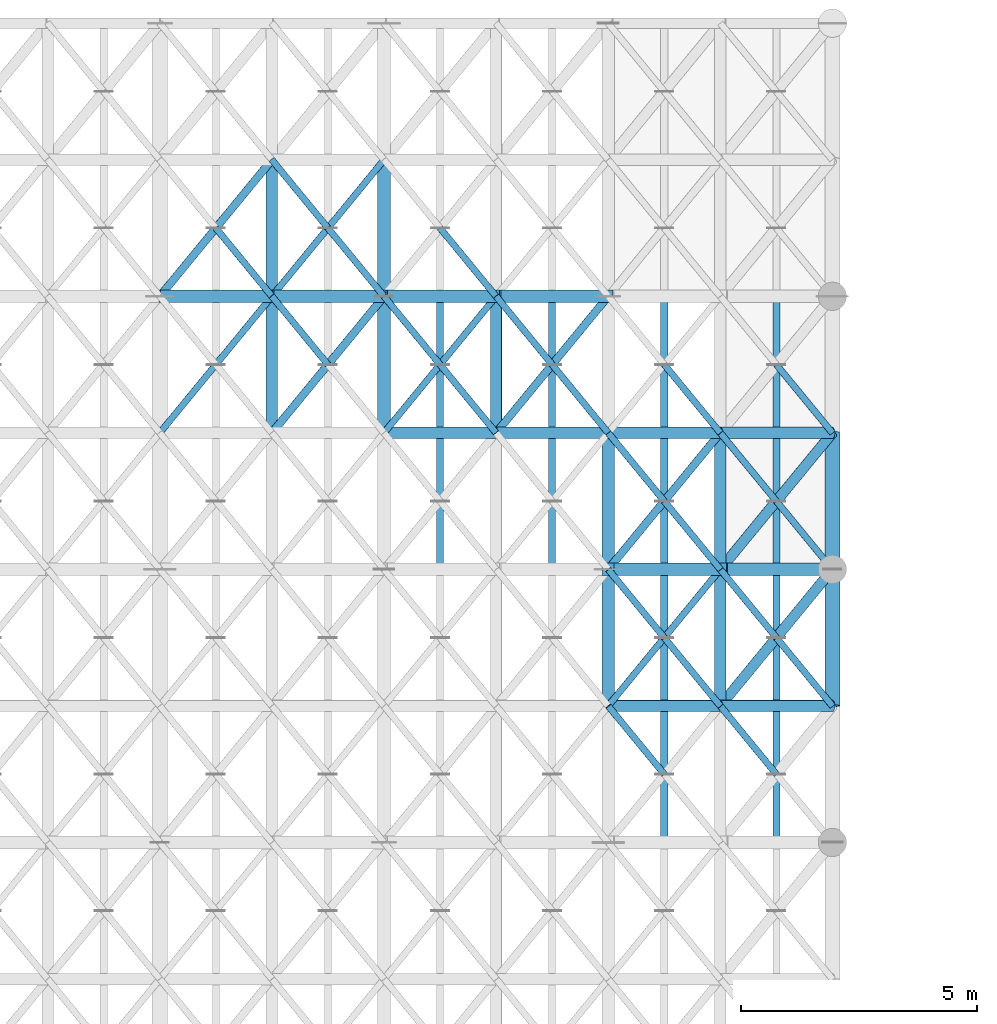
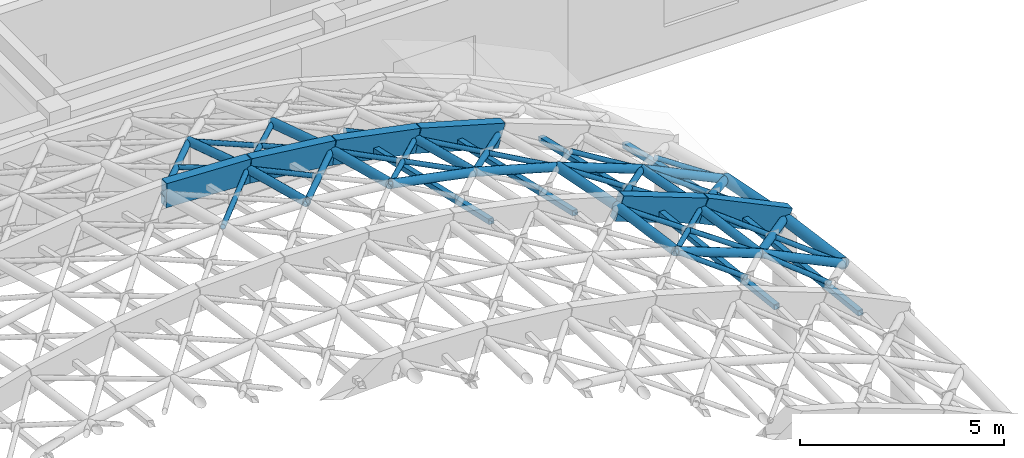
# One storey, part 72 of 146: 54 members, 6 beams.
"""IFC4 building model written with IfcOpenShell, lengths in metres."""

from ifc_helpers import new_model, si_unit, direction, frame, origin, origin_2d, place, context, subcontext, project, spatial, rectangle, hollow_rectangle, hollow_circle, extrude, material, material_profile, profile_set, type_object, element, save


model = new_model("IFC4")

# Units and contexts
model_context = context("Model", 3, precision=1e-05, world=origin(), true_north=direction((0.0, 1.0)))
body_context = subcontext(model_context, "Body", "Model", "MODEL_VIEW")
ifc_project = project(units=[si_unit("LENGTHUNIT", "METRE"), si_unit("AREAUNIT", "SQUARE_METRE"), si_unit("VOLUMEUNIT", "CUBIC_METRE"), si_unit("PLANEANGLEUNIT", "RADIAN"), si_unit("MASSUNIT", "GRAM", prefix="KILO")], contexts=[model_context])

# Site, building, storey
site_placement = place(None, origin())
site = spatial("IfcSite", under=ifc_project, at=site_placement, CompositionType="ELEMENT")
building_placement = place(site_placement, origin())
building = spatial("IfcBuilding", under=site, at=building_placement, Name="Valcora Specialist Clinic", CompositionType="ELEMENT")
storey_placement = place(building_placement, frame((0.0, 0.0, 9.52001953125)))
storey = spatial("IfcBuildingStorey", under=building, at=storey_placement, Name="L02", CompositionType="ELEMENT", Elevation=9.52001953125)

# Beams
ifc_material_1 = material(Name="Glulam Conifer Class 24F", Category="wood")
ifc_material_profile_1 = material_profile(ifc_material_1, rectangle(XDim=0.260009765625, YDim=0.719970703125, at=origin_2d()), Name="GL-ARC-260X720")
ifc_profile_set_1 = profile_set([ifc_material_profile_1], Name="Glulam Conifer Class 24F")
beam_type = type_object("IfcBeamType", Name="TY-AR-GL720", PredefinedType="JOIST", material=ifc_profile_set_1)
beam_1_placement = place(storey_placement, frame((24.5, 67.678955078125, 6.143798828125), z_axis=(0.935663448479, 0.0, -0.352893625871), x_axis=(0.0, 1.0, 0.0)))
element("IfcBeam", 1, at=beam_1_placement, inside=storey, type_object=beam_type, Name="Gridshell glulam arch chord BM-GSA-071", PredefinedType="JOIST", context=body_context, shape_type="SweptSolid", body=[
    extrude(rectangle(XDim=0.260009765625, YDim=0.719970703125, at=origin_2d()), origin(), (0.0, 0.0, 1.0), 2.538330078125),
])
beam_2_placement = place(storey_placement, frame((26.875, 67.678955078125, 5.248046875), z_axis=(0.902225234529, 0.0, -0.431265146028), x_axis=(0.0, 1.0, 0.0)))
element("IfcBeam", 2, at=beam_2_placement, inside=storey, type_object=beam_type, Name="Gridshell glulam arch chord BM-GSA-072", PredefinedType="JOIST", context=body_context, shape_type="SweptSolid", body=[
    extrude(rectangle(XDim=0.260009765625, YDim=0.719970703125, at=origin_2d()), origin(), (0.0, 0.0, 1.0), 2.63232421875),
])
beam_3_placement = place(storey_placement, frame((15.0, 73.464111328125, 6.347900390625), z_axis=(0.999229898969, 0.0, -0.039237851707), x_axis=(0.0, 1.0, 0.0)))
element("IfcBeam", 3, at=beam_3_placement, inside=storey, type_object=beam_type, Name="Gridshell glulam arch chord BM-GSA-079", PredefinedType="JOIST", context=body_context, shape_type="SweptSolid", body=[
    extrude(rectangle(XDim=0.260009765625, YDim=0.719970703125, at=origin_2d()), origin(), (0.0, 0.0, 1.0), 2.376708984375),
])
beam_4_placement = place(storey_placement, frame((17.375, 73.464111328125, 6.254638671875), z_axis=(0.993061123194, 0.0, -0.117599343536), x_axis=(0.0, 1.0, 0.0)))
element("IfcBeam", 4, at=beam_4_placement, inside=storey, type_object=beam_type, Name="Gridshell glulam arch chord BM-GSA-080", PredefinedType="JOIST", context=body_context, shape_type="SweptSolid", body=[
    extrude(rectangle(XDim=0.260009765625, YDim=0.719970703125, at=origin_2d()), origin(), (0.0, 0.0, 1.0), 2.3916015625),
])
beam_5_placement = place(storey_placement, frame((19.75, 73.464111328125, 5.973388671875), z_axis=(0.980611679738, 0.0, -0.195961051132), x_axis=(0.0, 1.0, 0.0)))
element("IfcBeam", 5, at=beam_5_placement, inside=storey, type_object=beam_type, Name="Gridshell glulam arch chord BM-GSA-081", PredefinedType="JOIST", context=body_context, shape_type="SweptSolid", body=[
    extrude(rectangle(XDim=0.260009765625, YDim=0.719970703125, at=origin_2d()), origin(), (0.0, 0.0, 1.0), 2.421875),
])
beam_6_placement = place(storey_placement, frame((22.125, 73.464111328125, 5.498779296875), z_axis=(0.961613421173, 0.0, -0.274407777259), x_axis=(0.0, 1.0, 0.0)))
element("IfcBeam", 6, at=beam_6_placement, inside=storey, type_object=beam_type, Name="Gridshell glulam arch chord BM-GSA-082", PredefinedType="JOIST", context=body_context, shape_type="SweptSolid", body=[
    extrude(rectangle(XDim=0.260009765625, YDim=0.719970703125, at=origin_2d()), origin(), (0.0, 0.0, 1.0), 2.4697265625),
])

# Members
ifc_material_2 = material(Name="Steel ASTM A500 Grade C", Category="steel")
ifc_material_profile_2 = material_profile(ifc_material_2, hollow_circle(Radius=0.1220703125, WallThickness=0.010009765625, at=origin_2d()), Name="ST-CHS-244X10")
ifc_profile_set_2 = profile_set([ifc_material_profile_2], Name="Steel ASTM A500 Grade C")
member_type_1 = type_object("IfcMemberType", Name="TY-MB-GSC244", PredefinedType="CHORD", material=ifc_profile_set_2)
member_1_placement = place(storey_placement, frame((17.375, 70.571044921875, 7.003173828125), z_axis=(0.0, 0.968120272933, -0.250485802263), x_axis=(-1.0, 0.0, 0.0)))
element("IfcMember", 7, at=member_1_placement, inside=storey, type_object=member_type_1, Name="Gridshell longitudinal chord MB-L02-0110", PredefinedType="CHORD", context=body_context, shape_type="SweptSolid", body=[
    extrude(hollow_circle(Radius=0.1220703125, WallThickness=0.010009765625, at=origin_2d()), origin(), (0.0, 0.0, 1.0), 2.98828125),
])
member_2_placement = place(storey_placement, frame((17.375, 73.464111328125, 6.254638671875), z_axis=(0.0, 0.95199595387, -0.30611060716), x_axis=(-1.0, 0.0, 0.0)))
element("IfcMember", 8, at=member_2_placement, inside=storey, type_object=member_type_1, Name="Gridshell longitudinal chord MB-L02-0111", PredefinedType="CHORD", context=body_context, shape_type="SweptSolid", body=[
    extrude(hollow_circle(Radius=0.1220703125, WallThickness=0.010009765625, at=origin_2d()), origin(), (0.0, 0.0, 1.0), 3.03857421875),
])
member_3_placement = place(storey_placement, frame((22.125, 70.571044921875, 6.2470703125), z_axis=(0.0, 0.968140082086, -0.250409227983), x_axis=(-1.0, 0.0, 0.0)))
element("IfcMember", 9, at=member_3_placement, inside=storey, type_object=member_type_1, Name="Gridshell longitudinal chord MB-L02-0138", PredefinedType="CHORD", context=body_context, shape_type="SweptSolid", body=[
    extrude(hollow_circle(Radius=0.1220703125, WallThickness=0.010009765625, at=origin_2d()), origin(), (0.0, 0.0, 1.0), 2.98828125),
])
member_4_placement = place(storey_placement, frame((26.875, 64.785888671875, 5.654541015625), z_axis=(0.0, 0.990272777431, -0.139139592778), x_axis=(-1.0, 0.0, 0.0)))
element("IfcMember", 10, at=member_4_placement, inside=storey, type_object=member_type_1, Name="Gridshell longitudinal chord MB-L02-0164", PredefinedType="CHORD", context=body_context, shape_type="SweptSolid", body=[
    extrude(hollow_circle(Radius=0.1220703125, WallThickness=0.010009765625, at=origin_2d()), origin(), (0.0, 0.0, 1.0), 2.92138671875),
])
member_5_placement = place(storey_placement, frame((26.875, 67.678955078125, 5.248046875), z_axis=(0.0, 0.980837778433, -0.194826210759), x_axis=(-1.0, 0.0, 0.0)))
element("IfcMember", 11, at=member_5_placement, inside=storey, type_object=member_type_1, Name="Gridshell longitudinal chord MB-L02-0165", PredefinedType="CHORD", context=body_context, shape_type="SweptSolid", body=[
    extrude(hollow_circle(Radius=0.1220703125, WallThickness=0.010009765625, at=origin_2d()), origin(), (0.0, 0.0, 1.0), 2.948486328125),
])
member_6_placement = place(storey_placement, frame((24.5, 64.785888671875, 6.550048828125), z_axis=(0.935695204238, 0.0, -0.352809417059), x_axis=(0.0, 1.0, 0.0)))
element("IfcMember", 12, at=member_6_placement, inside=storey, type_object=member_type_1, Name="Gridshell secondary transverse chord MB-L02-0325", PredefinedType="CHORD", context=body_context, shape_type="SweptSolid", body=[
    extrude(hollow_circle(Radius=0.1220703125, WallThickness=0.010009765625, at=origin_2d()), origin(), (0.0, 0.0, 1.0), 2.538330078125),
])
member_7_placement = place(storey_placement, frame((26.875, 64.785888671875, 5.654541015625), z_axis=(0.902225234529, 0.0, -0.431265146028), x_axis=(0.0, 1.0, 0.0)))
element("IfcMember", 13, at=member_7_placement, inside=storey, type_object=member_type_1, Name="Gridshell secondary transverse chord MB-L02-0326", PredefinedType="CHORD", context=body_context, shape_type="SweptSolid", body=[
    extrude(hollow_circle(Radius=0.1220703125, WallThickness=0.010009765625, at=origin_2d()), origin(), (0.0, 0.0, 1.0), 2.63232421875),
])
member_8_placement = place(storey_placement, frame((19.75, 70.571044921875, 6.7216796875), z_axis=(0.980611679738, 0.0, -0.195961051132), x_axis=(0.0, 1.0, 0.0)))
element("IfcMember", 14, at=member_8_placement, inside=storey, type_object=member_type_1, Name="Gridshell secondary transverse chord MB-L02-0335", PredefinedType="CHORD", context=body_context, shape_type="SweptSolid", body=[
    extrude(hollow_circle(Radius=0.1220703125, WallThickness=0.010009765625, at=origin_2d()), origin(), (0.0, 0.0, 1.0), 2.421875),
])
member_9_placement = place(storey_placement, frame((22.125, 70.571044921875, 6.2470703125), z_axis=(0.961613421173, 0.0, -0.274407777259), x_axis=(0.0, 1.0, 0.0)))
element("IfcMember", 15, at=member_9_placement, inside=storey, type_object=member_type_1, Name="Gridshell secondary transverse chord MB-L02-0336", PredefinedType="CHORD", context=body_context, shape_type="SweptSolid", body=[
    extrude(hollow_circle(Radius=0.1220703125, WallThickness=0.010009765625, at=origin_2d()), origin(), (0.0, 0.0, 1.0), 2.4697265625),
])
member_10_placement = place(storey_placement, frame((24.5, 70.571044921875, 5.5693359375), z_axis=(0.935663448479, 0.0, -0.352893625871), x_axis=(0.0, 1.0, 0.0)))
element("IfcMember", 16, at=member_10_placement, inside=storey, type_object=member_type_1, Name="Gridshell secondary transverse chord MB-L02-0337", PredefinedType="CHORD", context=body_context, shape_type="SweptSolid", body=[
    extrude(hollow_circle(Radius=0.1220703125, WallThickness=0.010009765625, at=origin_2d()), origin(), (0.0, 0.0, 1.0), 2.538330078125),
])
member_11_placement = place(storey_placement, frame((26.875, 70.571044921875, 4.673583984375), z_axis=(0.902225234529, 0.0, -0.431265146028), x_axis=(0.0, 1.0, 0.0)))
element("IfcMember", 17, at=member_11_placement, inside=storey, type_object=member_type_1, Name="Gridshell secondary transverse chord MB-L02-0338", PredefinedType="CHORD", context=body_context, shape_type="SweptSolid", body=[
    extrude(hollow_circle(Radius=0.1220703125, WallThickness=0.010009765625, at=origin_2d()), origin(), (0.0, 0.0, 1.0), 2.63232421875),
])
ifc_material_profile_3 = material_profile(ifc_material_2, hollow_circle(Radius=0.136474609375, WallThickness=0.011962890625, at=origin_2d()), Name="ST-CHS-273X12")
ifc_profile_set_3 = profile_set([ifc_material_profile_3], Name="Steel ASTM A500 Grade C")
member_type_2 = type_object("IfcMemberType", Name="TY-MB-GSC273", PredefinedType="CHORD", material=ifc_profile_set_3)
member_12_placement = place(storey_placement, frame((19.75, 70.571044921875, 6.7216796875), z_axis=(0.0, 0.968140082086, -0.250409227983), x_axis=(-1.0, 0.0, 0.0)))
element("IfcMember", 18, at=member_12_placement, inside=storey, type_object=member_type_2, Name="Gridshell longitudinal chord MB-L02-0124", PredefinedType="CHORD", context=body_context, shape_type="SweptSolid", body=[
    extrude(hollow_circle(Radius=0.136474609375, WallThickness=0.011962890625, at=origin_2d()), origin(), (0.0, 0.0, 1.0), 2.98828125),
])
member_13_placement = place(storey_placement, frame((19.75, 73.464111328125, 5.973388671875), z_axis=(0.0, 0.95199595387, -0.30611060716), x_axis=(-1.0, 0.0, 0.0)))
element("IfcMember", 19, at=member_13_placement, inside=storey, type_object=member_type_2, Name="Gridshell longitudinal chord MB-L02-0125", PredefinedType="CHORD", context=body_context, shape_type="SweptSolid", body=[
    extrude(hollow_circle(Radius=0.136474609375, WallThickness=0.011962890625, at=origin_2d()), origin(), (0.0, 0.0, 1.0), 3.03857421875),
])
member_14_placement = place(storey_placement, frame((24.5, 64.785888671875, 6.550048828125), z_axis=(0.0, 0.990284288594, -0.139057641875), x_axis=(-1.0, 0.0, 0.0)))
element("IfcMember", 20, at=member_14_placement, inside=storey, type_object=member_type_2, Name="Gridshell longitudinal chord MB-L02-0150", PredefinedType="CHORD", context=body_context, shape_type="SweptSolid", body=[
    extrude(hollow_circle(Radius=0.136474609375, WallThickness=0.011962890625, at=origin_2d()), origin(), (0.0, 0.0, 1.0), 2.92138671875),
])
member_15_placement = place(storey_placement, frame((24.5, 67.678955078125, 6.143798828125), z_axis=(0.0, 0.980837778433, -0.194826210759), x_axis=(-1.0, 0.0, 0.0)))
element("IfcMember", 21, at=member_15_placement, inside=storey, type_object=member_type_2, Name="Gridshell longitudinal chord MB-L02-0151", PredefinedType="CHORD", context=body_context, shape_type="SweptSolid", body=[
    extrude(hollow_circle(Radius=0.136474609375, WallThickness=0.011962890625, at=origin_2d()), origin(), (0.0, 0.0, 1.0), 2.948486328125),
])
ifc_material_profile_4 = material_profile(ifc_material_2, hollow_circle(Radius=0.162109375, WallThickness=0.011962890625, at=origin_2d()), Name="ST-CHS-324X12")
ifc_profile_set_4 = profile_set([ifc_material_profile_4], Name="Steel ASTM A500 Grade C")
member_type_3 = type_object("IfcMemberType", Name="TY-MB-GSC324", PredefinedType="CHORD", material=ifc_profile_set_4)
member_16_placement = place(storey_placement, frame((29.25, 64.785888671875, 4.519287109375), z_axis=(0.0, 0.990272777431, -0.139139592778), x_axis=(-1.0, 0.0, 0.0)))
element("IfcMember", 22, at=member_16_placement, inside=storey, type_object=member_type_3, Name="Gridshell longitudinal chord MB-L02-0178", PredefinedType="CHORD", context=body_context, shape_type="SweptSolid", body=[
    extrude(hollow_circle(Radius=0.162109375, WallThickness=0.011962890625, at=origin_2d()), origin(), (0.0, 0.0, 1.0), 2.92138671875),
])
member_17_placement = place(storey_placement, frame((29.25, 67.678955078125, 4.11279296875), z_axis=(0.0, 0.980837778433, -0.194826210759), x_axis=(-1.0, 0.0, 0.0)))
element("IfcMember", 23, at=member_17_placement, inside=storey, type_object=member_type_3, Name="Gridshell longitudinal chord MB-L02-0179", PredefinedType="CHORD", context=body_context, shape_type="SweptSolid", body=[
    extrude(hollow_circle(Radius=0.162109375, WallThickness=0.011962890625, at=origin_2d()), origin(), (0.0, 0.0, 1.0), 2.948486328125),
])
ifc_material_profile_5 = material_profile(ifc_material_2, hollow_circle(Radius=0.070068359375, WallThickness=0.006103515625, at=origin_2d()), Name="ST-CHS-140X6")
ifc_profile_set_5 = profile_set([ifc_material_profile_5], Name="Steel ASTM A500 Grade C")
member_type_4 = type_object("IfcMemberType", Name="TY-MB-GSD140", PredefinedType="BRACE", material=ifc_profile_set_5)
member_18_placement = place(storey_placement, frame((15.0, 70.571044921875, 7.09619140625), z_axis=(0.619055150261, 0.754091645826, -0.219354759761), x_axis=(-0.772915884105, 0.634508499626, 0.0)))
element("IfcMember", 24, at=member_18_placement, inside=storey, type_object=member_type_4, Name="Gridshell primary diagrid MB-L02-0541", PredefinedType="BRACE", context=body_context, shape_type="SweptSolid", body=[
    extrude(hollow_circle(Radius=0.070068359375, WallThickness=0.006103515625, at=origin_2d()), origin(), (0.0, 0.0, 1.0), 3.83642578125),
])
member_19_placement = place(storey_placement, frame((17.375, 73.464111328125, 6.254638671875), z_axis=(-0.619278413404, 0.754236291326, -0.218224342223), x_axis=(-0.772863356881, -0.634572479384, 0.0)))
element("IfcMember", 25, at=member_19_placement, inside=storey, type_object=member_type_4, Name="Gridshell split counter diagrid A MB-L02-0544", PredefinedType="BRACE", context=body_context, shape_type="SweptSolid", body=[
    extrude(hollow_circle(Radius=0.070068359375, WallThickness=0.006103515625, at=origin_2d()), origin(), (0.0, 0.0, 1.0), 1.91748046875),
])
member_20_placement = place(storey_placement, frame((17.375, 73.464111328125, 6.254638671875), z_axis=(0.603706513759, 0.735332903118, -0.307935004243), x_axis=(-0.772889622479, 0.634540488436, 0.0)))
element("IfcMember", 26, at=member_20_placement, inside=storey, type_object=member_type_4, Name="Gridshell primary diagrid MB-L02-0571", PredefinedType="BRACE", context=body_context, shape_type="SweptSolid", body=[
    extrude(hollow_circle(Radius=0.070068359375, WallThickness=0.006103515625, at=origin_2d()), origin(), (0.0, 0.0, 1.0), 3.93408203125),
])
member_21_placement = place(storey_placement, frame((19.75, 73.464111328125, 5.973388671875), z_axis=(-0.625243869313, 0.761501784911, -0.170836575312), x_axis=(-0.772863356881, -0.634572479384, 0.0)))
element("IfcMember", 27, at=member_21_placement, inside=storey, type_object=member_type_4, Name="Gridshell split counter diagrid A MB-L02-0572", PredefinedType="BRACE", context=body_context, shape_type="SweptSolid", body=[
    extrude(hollow_circle(Radius=0.070068359375, WallThickness=0.006103515625, at=origin_2d()), origin(), (0.0, 0.0, 1.0), 1.899169921875),
])
member_22_placement = place(storey_placement, frame((19.75, 70.571044921875, 6.7216796875), z_axis=(0.60313497592, 0.734698752534, -0.310557472696), x_axis=(-0.772915884105, 0.634508499626, 0.0)))
element("IfcMember", 28, at=member_22_placement, inside=storey, type_object=member_type_4, Name="Gridshell primary diagrid MB-L02-0597", PredefinedType="BRACE", context=body_context, shape_type="SweptSolid", body=[
    extrude(hollow_circle(Radius=0.070068359375, WallThickness=0.006103515625, at=origin_2d()), origin(), (0.0, 0.0, 1.0), 3.937744140625),
])
member_23_placement = place(storey_placement, frame((22.125, 70.571044921875, 6.2470703125), z_axis=(-0.632822190242, 0.770861734619, -0.072857817956), x_axis=(-0.772915884105, -0.634508499626, 0.0)))
element("IfcMember", 29, at=member_23_placement, inside=storey, type_object=member_type_4, Name="Gridshell split counter diagrid A MB-L02-0598", PredefinedType="BRACE", context=body_context, shape_type="SweptSolid", body=[
    extrude(hollow_circle(Radius=0.070068359375, WallThickness=0.006103515625, at=origin_2d()), origin(), (0.0, 0.0, 1.0), 1.87646484375),
])
member_24_placement = place(storey_placement, frame((22.125, 73.464111328125, 5.498779296875), z_axis=(-0.62992308528, 0.767200731332, -0.120830229968), x_axis=(-0.772863356881, -0.634572479384, 0.0)))
element("IfcMember", 30, at=member_24_placement, inside=storey, type_object=member_type_4, Name="Gridshell split counter diagrid A MB-L02-0600", PredefinedType="BRACE", context=body_context, shape_type="SweptSolid", body=[
    extrude(hollow_circle(Radius=0.070068359375, WallThickness=0.006103515625, at=origin_2d()), origin(), (0.0, 0.0, 1.0), 1.88525390625),
])
member_25_placement = place(storey_placement, frame((24.5, 70.571044921875, 5.5693359375), z_axis=(-0.634396580253, 0.772779551398, -0.018781477705), x_axis=(-0.772915884105, -0.634508499626, 0.0)))
element("IfcMember", 31, at=member_25_placement, inside=storey, type_object=member_type_4, Name="Gridshell split counter diagrid A MB-L02-0626", PredefinedType="BRACE", context=body_context, shape_type="SweptSolid", body=[
    extrude(hollow_circle(Radius=0.070068359375, WallThickness=0.006103515625, at=origin_2d()), origin(), (0.0, 0.0, 1.0), 1.871826171875),
])
member_26_placement = place(storey_placement, frame((24.5, 64.785888671875, 6.550048828125), z_axis=(0.599287772964, 0.730012346795, -0.328536358266), x_axis=(-0.772915884105, 0.634508499626, 0.0)))
element("IfcMember", 32, at=member_26_placement, inside=storey, type_object=member_type_4, Name="Gridshell primary diagrid MB-L02-0649", PredefinedType="BRACE", context=body_context, shape_type="SweptSolid", body=[
    extrude(hollow_circle(Radius=0.070068359375, WallThickness=0.006103515625, at=origin_2d()), origin(), (0.0, 0.0, 1.0), 3.963134765625),
])
member_27_placement = place(storey_placement, frame((26.875, 64.785888671875, 5.654541015625), z_axis=(-0.629156590735, 0.766396546074, 0.129608327285), x_axis=(-0.772915884105, -0.634508499626, 0.0)))
element("IfcMember", 33, at=member_27_placement, inside=storey, type_object=member_type_4, Name="Gridshell split counter diagrid A MB-L02-0650", PredefinedType="BRACE", context=body_context, shape_type="SweptSolid", body=[
    extrude(hollow_circle(Radius=0.070068359375, WallThickness=0.006103515625, at=origin_2d()), origin(), (0.0, 0.0, 1.0), 1.887451171875),
])
member_28_placement = place(storey_placement, frame((26.875, 67.678955078125, 5.248046875), z_axis=(-0.632310428758, 0.769978344888, 0.085538705206), x_axis=(-0.772810813765, -0.634636467694, 0.0)))
element("IfcMember", 34, at=member_28_placement, inside=storey, type_object=member_type_4, Name="Gridshell split counter diagrid A MB-L02-0652", PredefinedType="BRACE", context=body_context, shape_type="SweptSolid", body=[
    extrude(hollow_circle(Radius=0.070068359375, WallThickness=0.006103515625, at=origin_2d()), origin(), (0.0, 0.0, 1.0), 1.8779296875),
])
member_29_placement = place(storey_placement, frame((26.875, 70.571044921875, 4.673583984375), z_axis=(-0.634016682193, 0.77231678495, 0.039365344988), x_axis=(-0.772915884105, -0.634508499626, 0.0)))
element("IfcMember", 35, at=member_29_placement, inside=storey, type_object=member_type_4, Name="Gridshell split counter diagrid A MB-L02-0654", PredefinedType="BRACE", context=body_context, shape_type="SweptSolid", body=[
    extrude(hollow_circle(Radius=0.070068359375, WallThickness=0.006103515625, at=origin_2d()), origin(), (0.0, 0.0, 1.0), 1.873046875),
])
member_30_placement = place(storey_placement, frame((29.25, 64.785888671875, 4.519287109375), z_axis=(-0.622821492509, 0.75867955245, 0.191046395317), x_axis=(-0.772915884105, -0.634508499626, 0.0)))
element("IfcMember", 36, at=member_30_placement, inside=storey, type_object=member_type_4, Name="Gridshell split counter diagrid A MB-L02-0678", PredefinedType="BRACE", context=body_context, shape_type="SweptSolid", body=[
    extrude(hollow_circle(Radius=0.070068359375, WallThickness=0.006103515625, at=origin_2d()), origin(), (0.0, 0.0, 1.0), 1.90673828125),
])
member_31_placement = place(storey_placement, frame((29.25, 67.678955078125, 4.11279296875), z_axis=(-0.627634696439, 0.764284602592, 0.148134175887), x_axis=(-0.772810813765, -0.634636467694, 0.0)))
element("IfcMember", 37, at=member_31_placement, inside=storey, type_object=member_type_4, Name="Gridshell split counter diagrid A MB-L02-0680", PredefinedType="BRACE", context=body_context, shape_type="SweptSolid", body=[
    extrude(hollow_circle(Radius=0.070068359375, WallThickness=0.006103515625, at=origin_2d()), origin(), (0.0, 0.0, 1.0), 1.89208984375),
])
member_32_placement = place(storey_placement, frame((29.25, 70.571044921875, 3.538330078125), z_axis=(-0.631140492964, 0.768813203292, 0.102897699614), x_axis=(-0.772915884105, -0.634508499626, 0.0)))
element("IfcMember", 38, at=member_32_placement, inside=storey, type_object=member_type_4, Name="Gridshell split counter diagrid A MB-L02-0682", PredefinedType="BRACE", context=body_context, shape_type="SweptSolid", body=[
    extrude(hollow_circle(Radius=0.070068359375, WallThickness=0.006103515625, at=origin_2d()), origin(), (0.0, 0.0, 1.0), 1.881591796875),
])
member_33_placement = place(storey_placement, frame((18.5625, 72.017578125, 6.48828125), z_axis=(-0.629621091913, 0.766962370391, -0.123878985395), x_axis=(-0.772915884105, -0.634508499626, 0.0)))
element("IfcMember", 39, at=member_33_placement, inside=storey, type_object=member_type_4, Name="Gridshell split counter diagrid B 110", PredefinedType="BRACE", context=body_context, shape_type="SweptSolid", body=[
    extrude(hollow_circle(Radius=0.070068359375, WallThickness=0.006103515625, at=origin_2d()), origin(), (0.0, 0.0, 1.0), 1.885986328125),
])
member_34_placement = place(storey_placement, frame((18.5625, 74.910400390625, 5.64892578125), z_axis=(-0.625182669636, 0.761555780755, -0.170819853607), x_axis=(-0.772915884105, -0.634508499626, 0.0)))
element("IfcMember", 40, at=member_34_placement, inside=storey, type_object=member_type_4, Name="Gridshell split counter diagrid B 111", PredefinedType="BRACE", context=body_context, shape_type="SweptSolid", body=[
    extrude(hollow_circle(Radius=0.070068359375, WallThickness=0.006103515625, at=origin_2d()), origin(), (0.0, 0.0, 1.0), 1.8994140625),
])
member_35_placement = place(storey_placement, frame((20.9375, 72.017578125, 6.1103515625), z_axis=(-0.632816186426, 0.770854421171, -0.072987228739), x_axis=(-0.772915884105, -0.634508499626, 0.0)))
element("IfcMember", 41, at=member_35_placement, inside=storey, type_object=member_type_4, Name="Gridshell split counter diagrid B 124", PredefinedType="BRACE", context=body_context, shape_type="SweptSolid", body=[
    extrude(hollow_circle(Radius=0.070068359375, WallThickness=0.006103515625, at=origin_2d()), origin(), (0.0, 0.0, 1.0), 1.87646484375),
])
member_36_placement = place(storey_placement, frame((23.3125, 72.017578125, 5.5341796875), z_axis=(-0.634395020838, 0.772777651823, -0.018911858146), x_axis=(-0.772915884105, -0.634508499626, 0.0)))
element("IfcMember", 42, at=member_36_placement, inside=storey, type_object=member_type_4, Name="Gridshell split counter diagrid B 138", PredefinedType="BRACE", context=body_context, shape_type="SweptSolid", body=[
    extrude(hollow_circle(Radius=0.070068359375, WallThickness=0.006103515625, at=origin_2d()), origin(), (0.0, 0.0, 1.0), 1.871826171875),
])
member_37_placement = place(storey_placement, frame((25.6875, 63.339599609375, 6.223388671875), z_axis=(-0.625119913311, 0.761350815472, 0.171959384048), x_axis=(-0.772863356881, -0.634572479384, 0.0)))
element("IfcMember", 43, at=member_37_placement, inside=storey, type_object=member_type_4, Name="Gridshell split counter diagrid B 149", PredefinedType="BRACE", context=body_context, shape_type="SweptSolid", body=[
    extrude(hollow_circle(Radius=0.070068359375, WallThickness=0.006103515625, at=origin_2d()), origin(), (0.0, 0.0, 1.0), 1.899658203125),
])
member_38_placement = place(storey_placement, frame((25.6875, 66.232421875, 5.899169921875), z_axis=(-0.629156590735, 0.766396546074, 0.129608327285), x_axis=(-0.772915884105, -0.634508499626, 0.0)))
element("IfcMember", 44, at=member_38_placement, inside=storey, type_object=member_type_4, Name="Gridshell split counter diagrid B 150", PredefinedType="BRACE", context=body_context, shape_type="SweptSolid", body=[
    extrude(hollow_circle(Radius=0.070068359375, WallThickness=0.006103515625, at=origin_2d()), origin(), (0.0, 0.0, 1.0), 1.887451171875),
])
member_39_placement = place(storey_placement, frame((25.6875, 69.125, 5.40869140625), z_axis=(-0.632310428758, 0.769978344888, 0.085538705206), x_axis=(-0.772810813765, -0.634636467694, 0.0)))
element("IfcMember", 45, at=member_39_placement, inside=storey, type_object=member_type_4, Name="Gridshell split counter diagrid B 151", PredefinedType="BRACE", context=body_context, shape_type="SweptSolid", body=[
    extrude(hollow_circle(Radius=0.070068359375, WallThickness=0.006103515625, at=origin_2d()), origin(), (0.0, 0.0, 1.0), 1.8779296875),
])
member_40_placement = place(storey_placement, frame((28.0625, 63.339599609375, 5.2080078125), z_axis=(-0.617243411204, 0.751757805916, 0.232100781063), x_axis=(-0.772863356881, -0.634572479384, 0.0)))
element("IfcMember", 46, at=member_40_placement, inside=storey, type_object=member_type_4, Name="Gridshell split counter diagrid B 163", PredefinedType="BRACE", context=body_context, shape_type="SweptSolid", body=[
    extrude(hollow_circle(Radius=0.070068359375, WallThickness=0.006103515625, at=origin_2d()), origin(), (0.0, 0.0, 1.0), 1.923828125),
])
member_41_placement = place(storey_placement, frame((28.0625, 66.232421875, 4.883544921875), z_axis=(-0.62280625191, 0.75866098737, 0.191169764412), x_axis=(-0.772915884105, -0.634508499626, 0.0)))
element("IfcMember", 47, at=member_41_placement, inside=storey, type_object=member_type_4, Name="Gridshell split counter diagrid B 164", PredefinedType="BRACE", context=body_context, shape_type="SweptSolid", body=[
    extrude(hollow_circle(Radius=0.070068359375, WallThickness=0.006103515625, at=origin_2d()), origin(), (0.0, 0.0, 1.0), 1.90673828125),
])
member_42_placement = place(storey_placement, frame((28.0625, 69.125, 4.39306640625), z_axis=(-0.627622694477, 0.764269987539, 0.148260377458), x_axis=(-0.772810813765, -0.634636467694, 0.0)))
element("IfcMember", 48, at=member_42_placement, inside=storey, type_object=member_type_4, Name="Gridshell split counter diagrid B 165", PredefinedType="BRACE", context=body_context, shape_type="SweptSolid", body=[
    extrude(hollow_circle(Radius=0.070068359375, WallThickness=0.006103515625, at=origin_2d()), origin(), (0.0, 0.0, 1.0), 1.89208984375),
])
ifc_material_profile_6 = material_profile(ifc_material_2, hollow_circle(Radius=0.083984375, WallThickness=0.008056640625, at=origin_2d()), Name="ST-CHS-168X8")
ifc_profile_set_6 = profile_set([ifc_material_profile_6], Name="Steel ASTM A500 Grade C")
member_type_5 = type_object("IfcMemberType", Name="TY-MB-GSD168", PredefinedType="BRACE", material=ifc_profile_set_6)
member_43_placement = place(storey_placement, frame((15.0, 73.464111328125, 6.347900390625), z_axis=(0.612071323668, 0.745521496108, -0.26375441908), x_axis=(-0.772889622479, 0.634540488436, 0.0)))
element("IfcMember", 49, at=member_43_placement, inside=storey, type_object=member_type_5, Name="Gridshell primary diagrid MB-L02-0543", PredefinedType="BRACE", context=body_context, shape_type="SweptSolid", body=[
    extrude(hollow_circle(Radius=0.083984375, WallThickness=0.008056640625, at=origin_2d()), origin(), (0.0, 0.0, 1.0), 3.88037109375),
])
member_44_placement = place(storey_placement, frame((17.375, 70.571044921875, 7.003173828125), z_axis=(0.611777913095, 0.745227001457, -0.265263079506), x_axis=(-0.772915884105, 0.634508499626, 0.0)))
element("IfcMember", 50, at=member_44_placement, inside=storey, type_object=member_type_5, Name="Gridshell primary diagrid MB-L02-0569", PredefinedType="BRACE", context=body_context, shape_type="SweptSolid", body=[
    extrude(hollow_circle(Radius=0.083984375, WallThickness=0.008056640625, at=origin_2d()), origin(), (0.0, 0.0, 1.0), 3.882080078125),
])
member_45_placement = place(storey_placement, frame((22.125, 70.571044921875, 6.2470703125), z_axis=(0.592935150937, 0.722274006846, -0.356017086413), x_axis=(-0.772915884105, 0.634508499626, 0.0)))
element("IfcMember", 51, at=member_45_placement, inside=storey, type_object=member_type_5, Name="Gridshell primary diagrid MB-L02-0625", PredefinedType="BRACE", context=body_context, shape_type="SweptSolid", body=[
    extrude(hollow_circle(Radius=0.083984375, WallThickness=0.008056640625, at=origin_2d()), origin(), (0.0, 0.0, 1.0), 4.005615234375),
])
member_46_placement = place(storey_placement, frame((24.5, 67.678955078125, 6.143798828125), z_axis=(0.590687465393, 0.719293145049, -0.365657886163), x_axis=(-0.772810813765, 0.634636467694, 0.0)))
element("IfcMember", 52, at=member_46_placement, inside=storey, type_object=member_type_5, Name="Gridshell primary diagrid MB-L02-0651", PredefinedType="BRACE", context=body_context, shape_type="SweptSolid", body=[
    extrude(hollow_circle(Radius=0.083984375, WallThickness=0.008056640625, at=origin_2d()), origin(), (0.0, 0.0, 1.0), 4.020751953125),
])
ifc_material_profile_7 = material_profile(ifc_material_2, hollow_circle(Radius=0.109619140625, WallThickness=0.010009765625, at=origin_2d()), Name="ST-CHS-219X10")
ifc_profile_set_7 = profile_set([ifc_material_profile_7], Name="Steel ASTM A500 Grade C")
member_type_6 = type_object("IfcMemberType", Name="TY-MB-GSD219", PredefinedType="BRACE", material=ifc_profile_set_7)
member_47_placement = place(storey_placement, frame((26.875, 64.785888671875, 5.654541015625), z_axis=(0.586689055703, 0.714665430724, -0.380853349791), x_axis=(-0.772915884105, 0.634508499626, 0.0)))
element("IfcMember", 53, at=member_47_placement, inside=storey, type_object=member_type_6, Name="Gridshell primary diagrid MB-L02-0677", PredefinedType="BRACE", context=body_context, shape_type="SweptSolid", body=[
    extrude(hollow_circle(Radius=0.109619140625, WallThickness=0.010009765625, at=origin_2d()), origin(), (0.0, 0.0, 1.0), 4.048095703125),
])
member_48_placement = place(storey_placement, frame((26.875, 67.678955078125, 5.248046875), z_axis=(0.577246829177, 0.702926186105, -0.41554888412), x_axis=(-0.772810813765, 0.634636467694, 0.0)))
element("IfcMember", 54, at=member_48_placement, inside=storey, type_object=member_type_6, Name="Gridshell primary diagrid MB-L02-0679", PredefinedType="BRACE", context=body_context, shape_type="SweptSolid", body=[
    extrude(hollow_circle(Radius=0.109619140625, WallThickness=0.010009765625, at=origin_2d()), origin(), (0.0, 0.0, 1.0), 4.1142578125),
])
ifc_material_profile_8 = material_profile(ifc_material_2, hollow_rectangle(XDim=0.14990234375, YDim=0.14990234375, WallThickness=0.006103515625, at=origin_2d()), Name="ST-RHS-150X150X6")
ifc_profile_set_8 = profile_set([ifc_material_profile_8], Name="Steel ASTM A500 Grade C")
member_type_7 = type_object("IfcMemberType", Name="TY-MB-PR150", PredefinedType="PURLIN", material=ifc_profile_set_8)
for number, where, z_axis, x_axis, name in (
    (55, (20.93798828125, 67.678955078125, 6.938720703125), (0.0, 0.974842673844, -0.22289405836), (-1.0, 0.0, 0.0), "Gridshell secondary purlin MB-L02-0244"),
    (56, (23.31201171875, 67.678955078125, 6.362548828125), (0.0, 0.974842673844, -0.22289405836), (-1.0, 0.0, 0.0), "Gridshell secondary purlin MB-L02-0251"),
):
    element("IfcMember", number, at=place(storey_placement, frame(where, z_axis=z_axis, x_axis=x_axis)), inside=storey, type_object=member_type_7, Name=name, PredefinedType="PURLIN", context=body_context, shape_type="SweptSolid", body=[
        extrude(hollow_rectangle(XDim=0.14990234375, YDim=0.14990234375, WallThickness=0.006103515625, at=origin_2d()), origin(), (0.0, 0.0, 1.0), 5.9345703125),
    ])
member_49_placement = place(storey_placement, frame((25.68798828125, 61.89306640625, 6.224609375), z_axis=(0.0, 0.993773811353, -0.111416389585), x_axis=(-1.0, 0.0, 0.0)))
element("IfcMember", 57, at=member_49_placement, inside=storey, type_object=member_type_7, Name="Gridshell secondary purlin MB-L02-0257", PredefinedType="PURLIN", context=body_context, shape_type="SweptSolid", body=[
    extrude(hollow_rectangle(XDim=0.14990234375, YDim=0.14990234375, WallThickness=0.006103515625, at=origin_2d()), origin(), (0.0, 0.0, 1.0), 5.822021484375),
])
member_50_placement = place(storey_placement, frame((25.68798828125, 67.678955078125, 5.575927734375), z_axis=(0.0, 0.974842673844, -0.22289405836), x_axis=(-1.0, 0.0, 0.0)))
element("IfcMember", 58, at=member_50_placement, inside=storey, type_object=member_type_7, Name="Gridshell secondary purlin MB-L02-0258", PredefinedType="PURLIN", context=body_context, shape_type="SweptSolid", body=[
    extrude(hollow_rectangle(XDim=0.14990234375, YDim=0.14990234375, WallThickness=0.006103515625, at=origin_2d()), origin(), (0.0, 0.0, 1.0), 5.9345703125),
])
member_51_placement = place(storey_placement, frame((28.06201171875, 61.89306640625, 5.209228515625), z_axis=(0.0, 0.993769167561, -0.111457801906), x_axis=(-1.0, 0.0, 0.0)))
element("IfcMember", 59, at=member_51_placement, inside=storey, type_object=member_type_7, Name="Gridshell secondary purlin MB-L02-0264", PredefinedType="PURLIN", context=body_context, shape_type="SweptSolid", body=[
    extrude(hollow_rectangle(XDim=0.14990234375, YDim=0.14990234375, WallThickness=0.006103515625, at=origin_2d()), origin(), (0.0, 0.0, 1.0), 5.822265625),
])
member_52_placement = place(storey_placement, frame((28.06201171875, 67.678955078125, 4.560302734375), z_axis=(0.0, 0.974842673844, -0.22289405836), x_axis=(-1.0, 0.0, 0.0)))
element("IfcMember", 60, at=member_52_placement, inside=storey, type_object=member_type_7, Name="Gridshell secondary purlin MB-L02-0265", PredefinedType="PURLIN", context=body_context, shape_type="SweptSolid", body=[
    extrude(hollow_rectangle(XDim=0.14990234375, YDim=0.14990234375, WallThickness=0.006103515625, at=origin_2d()), origin(), (0.0, 0.0, 1.0), 5.9345703125),
])

save(model, "model.ifc")
